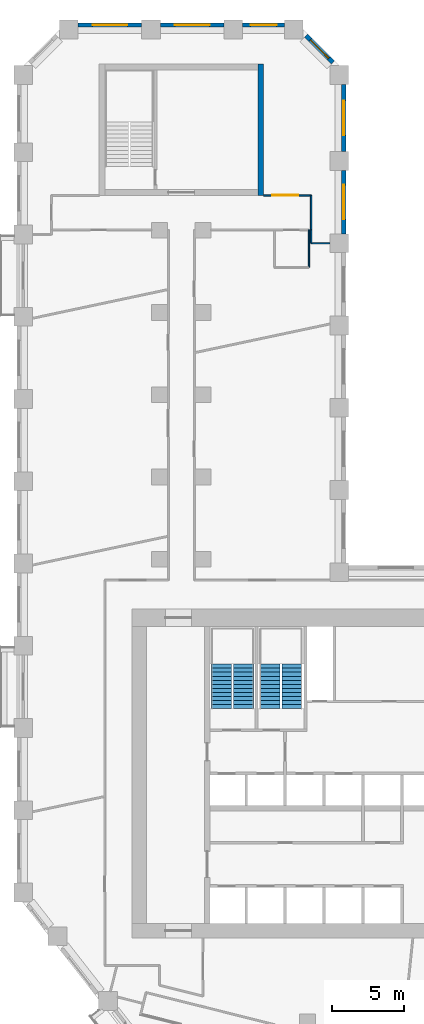
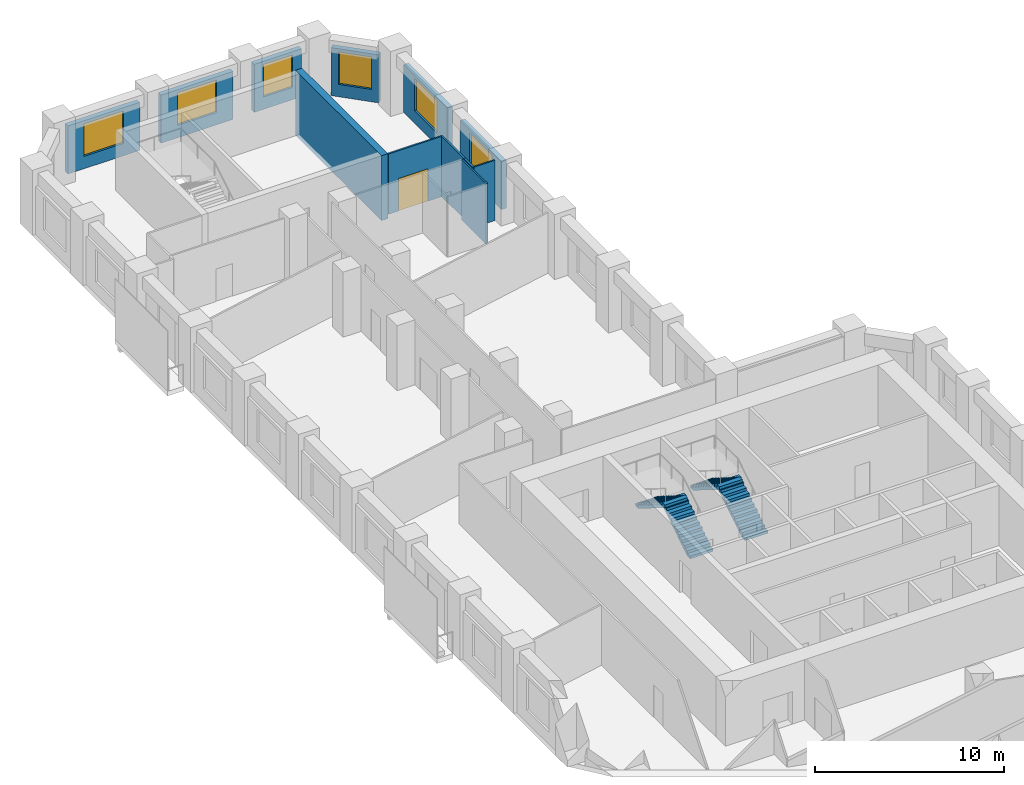
# One storey, part 9 of 11: 12 walls, 6 windows, 4 stair flights, 1 door, 7 openings, 2 elements without a shape of their own.
"""IFC4 building model written with IfcOpenShell, lengths in metres."""

from ifc_helpers import new_model, si_unit, direction, frame, frame_2d, origin, place, context, subcontext, project, spatial, polyline, rectangle, outline, extrude, material, layer, layer_set, type_object, element, fill, aggregate, save


model = new_model("IFC4")

# Units and contexts
model_context = context("Model", 3, precision=1e-05, world=origin(), true_north=direction((0.0, 1.0)))
body_context = subcontext(model_context, "Body", "Model", "MODEL_VIEW")
ifc_project = project(units=[si_unit("LENGTHUNIT", "METRE"), si_unit("AREAUNIT", "SQUARE_METRE"), si_unit("VOLUMEUNIT", "CUBIC_METRE"), si_unit("PLANEANGLEUNIT", "RADIAN"), si_unit("MASSUNIT", "GRAM", prefix="KILO")], contexts=[model_context])

# Site, building, storey
site_placement = place(None, origin())
site = spatial("IfcSite", under=ifc_project, at=site_placement, CompositionType="ELEMENT")
building_placement = place(site_placement, origin())
building = spatial("IfcBuilding", under=site, at=building_placement, Name="Meshkara Civic Tower", CompositionType="ELEMENT")
storey_placement = place(building_placement, frame((0.0, 0.0, 143.39990234375)))
storey = spatial("IfcBuildingStorey", under=building, at=storey_placement, Name="L32", CompositionType="ELEMENT", Elevation=143.39990234375)

# Wall
ifc_material_1 = material(Name="Corridor wall 100")
ifc_layer_1 = layer(ifc_material_1, 0.10009765625)
ifc_layer_set_1 = layer_set([ifc_layer_1], Name="Corridor wall 100")
wall_type_1 = type_object("IfcWallType", Name="Corridor wall 100", PredefinedType="PARTITIONING", material=ifc_layer_set_1)
wall_1_placement = place(storey_placement, frame((20.39990234375, 63.169921875, 0.0), z_axis=(0.0, 0.0, 1.0), x_axis=(0.0, 1.0, 0.0)))
element("IfcWall", 1, at=wall_1_placement, inside=storey, type_object=wall_type_1, Name="L32-W016", PredefinedType="PARTITIONING", context=body_context, shape_type="SweptSolid", body=[
    extrude(rectangle(XDim=2.400146484375, YDim=0.10009765625, at=frame_2d((1.2001953125, 0.0))), origin(), (0.0, 0.0, 1.0), 3.900146484375),
])

# Wall, opening, door
wall_2_placement = place(storey_placement, frame((20.39990234375, 65.570068359375, 0.0), z_axis=(0.0, 0.0, 1.0), x_axis=(-1.0, 0.0, 0.0)))
wall_2 = element("IfcWall", 2, at=wall_2_placement, inside=storey, type_object=wall_type_1, Name="L32-W017", PredefinedType="PARTITIONING", context=body_context, shape_type="SweptSolid", body=[
    extrude(rectangle(XDim=3.2998046875, YDim=0.10009765625, at=frame_2d((1.64990234375, 0.0))), origin(), (0.0, 0.0, 1.0), 3.900146484375),
])
opening_1_placement = place(wall_2_placement, frame((0.8798828125, 0.0, 0.0)))
opening_1 = element("IfcOpeningElement", 3, at=opening_1_placement, cuts=wall_2, Name="Opening L32-D024", PredefinedType="OPENING", context=body_context, shape_type="SweptSolid", body=[
    extrude(rectangle(XDim=1.800048828125, YDim=2.10009765625, at=frame_2d((0.89990234375, 1.050048828125))), frame((0.0, 0.06005859375, 0.0), z_axis=(0.0, -1.0, 0.0), x_axis=(1.0, 0.0, 0.0)), (0.0, 0.0, 1.0), 0.1201171875),
])
ifc_material_2 = material(Name="Door pair 1800 x 2100")
door_type = type_object("IfcDoorType", Name="Door pair 1800 x 2100", OperationType="SINGLE_SWING_LEFT", PredefinedType="DOOR", material=ifc_material_2)
door_placement = place(opening_1_placement, origin())
door = element("IfcDoor", 4, at=door_placement, inside=storey, type_object=door_type, Name="L32-D024", OperationType="DOUBLE_DOOR_SINGLE_SWING", OverallHeight=2.10009765625, OverallWidth=1.800048828125, PredefinedType="DOOR", context=body_context, shape_type="SweptSolid", body=[
    extrude(rectangle(XDim=1.800048828125, YDim=2.10009765625, at=frame_2d((0.89990234375, 1.050048828125))), frame((0.0, 0.02490234375, 0.0), z_axis=(0.0, -1.0, 0.0), x_axis=(1.0, 0.0, 0.0)), (0.0, 0.0, 1.0), 0.050048828125),
])
fill(opening_1, door)

# Wall, opening, window
ifc_material_3 = material(Name="Insulated infill panel with bronze anodised aluminium cladding", Category="aluminium")
ifc_layer_2 = layer(ifc_material_3, 0.300048828125)
ifc_layer_set_2 = layer_set([ifc_layer_2], Name="EXTERNAL INFILL WALL 300")
wall_type_2 = type_object("IfcWallType", Name="EXTERNAL INFILL WALL 300", PredefinedType="SOLIDWALL", material=ifc_layer_set_2)
wall_3_placement = place(storey_placement, frame((22.64990234375, 62.89990234375, 0.0), z_axis=(0.0, 0.0, 1.0), x_axis=(0.0, 1.0, 0.0)))
wall_3 = element("IfcWall", 5, at=wall_3_placement, inside=storey, type_object=wall_type_2, Name="External wall", PredefinedType="SOLIDWALL", context=body_context, shape_type="SweptSolid", body=[
    extrude(rectangle(XDim=4.400146484375, YDim=0.300048828125, at=frame_2d((2.2001953125, 0.0))), origin(), (0.0, 0.0, 1.0), 3.10009765625),
])
opening_2_placement = place(wall_3_placement, frame((1.0, 0.0, 0.800048828125)))
opening_2 = element("IfcOpeningElement", 6, at=opening_2_placement, cuts=wall_3, Name="Opening W7", PredefinedType="OPENING", context=body_context, shape_type="SweptSolid", body=[
    extrude(rectangle(XDim=2.39990234375, YDim=2.10009765625, at=frame_2d((1.199951171875, 1.050048828125))), frame((0.0, 0.159912109375, 0.0), z_axis=(0.0, -1.0, 0.0), x_axis=(1.0, 0.0, 0.0)), (0.0, 0.0, 1.0), 0.320068359375),
])
ifc_material_4 = material(Name="Tinted double glazing", Category="glass")
window_type_1 = type_object("IfcWindowType", Name="WINDOW 2400x2100", PartitioningType="DOUBLE_PANEL_VERTICAL", PredefinedType="WINDOW", material=ifc_material_4)
window_1_placement = place(opening_2_placement, origin())
window_1 = element("IfcWindow", 7, at=window_1_placement, inside=storey, type_object=window_type_1, Name="Window", OverallHeight=2.10009765625, OverallWidth=2.39990234375, PartitioningType="DOUBLE_PANEL_VERTICAL", PredefinedType="WINDOW", context=body_context, shape_type="SweptSolid", body=[
    extrude(rectangle(XDim=2.39990234375, YDim=2.10009765625, at=frame_2d((1.199951171875, 1.050048828125))), frame((0.0, 0.030029296875, 0.0), z_axis=(0.0, -1.0, 0.0), x_axis=(1.0, 0.0, 0.0)), (0.0, 0.0, 1.0), 0.06005859375),
])
fill(opening_2, window_1)

wall_4_placement = place(storey_placement, frame((22.64990234375, 68.60009765625, 0.0), z_axis=(0.0, 0.0, 1.0), x_axis=(0.0, 1.0, 0.0)))
wall_4 = element("IfcWall", 8, at=wall_4_placement, inside=storey, type_object=wall_type_2, Name="External wall", PredefinedType="SOLIDWALL", context=body_context, shape_type="SweptSolid", body=[
    extrude(rectangle(XDim=4.663818359375, YDim=0.300048828125, at=frame_2d((2.33203125, 0.0))), origin(), (0.0, 0.0, 1.0), 3.10009765625),
])
opening_3_placement = place(wall_4_placement, frame((1.132080078125, 0.0, 0.800048828125)))
opening_3 = element("IfcOpeningElement", 9, at=opening_3_placement, cuts=wall_4, Name="Opening W7", PredefinedType="OPENING", context=body_context, shape_type="SweptSolid", body=[
    extrude(rectangle(XDim=2.39990234375, YDim=2.10009765625, at=frame_2d((1.199951171875, 1.050048828125))), frame((0.0, 0.159912109375, 0.0), z_axis=(0.0, -1.0, 0.0), x_axis=(1.0, 0.0, 0.0)), (0.0, 0.0, 1.0), 0.320068359375),
])
window_2_placement = place(opening_3_placement, origin())
window_2 = element("IfcWindow", 10, at=window_2_placement, inside=storey, type_object=window_type_1, Name="Window", OverallHeight=2.10009765625, OverallWidth=2.39990234375, PartitioningType="DOUBLE_PANEL_VERTICAL", PredefinedType="WINDOW", context=body_context, shape_type="SweptSolid", body=[
    extrude(rectangle(XDim=2.39990234375, YDim=2.10009765625, at=frame_2d((1.199951171875, 1.050048828125))), frame((0.0, 0.030029296875, 0.0), z_axis=(0.0, -1.0, 0.0), x_axis=(1.0, 0.0, 0.0)), (0.0, 0.0, 1.0), 0.06005859375),
])
fill(opening_3, window_2)

wall_5_placement = place(storey_placement, frame((21.912109375, 74.77587890625, 0.0), z_axis=(0.0, 0.0, 1.0), x_axis=(-0.707106781187, 0.707106781187, 0.0)))
wall_5 = element("IfcWall", 11, at=wall_5_placement, inside=storey, type_object=wall_type_2, Name="External wall", PredefinedType="SOLIDWALL", context=body_context, shape_type="SweptSolid", body=[
    extrude(rectangle(XDim=2.625, YDim=0.300048828125, at=frame_2d((1.3125, 0.0))), origin(), (0.0, 0.0, 1.0), 3.10009765625),
])
opening_4_placement = place(wall_5_placement, frame((0.412109375, 0.0, 0.800048828125)))
opening_4 = element("IfcOpeningElement", 12, at=opening_4_placement, cuts=wall_5, Name="Opening W9", PredefinedType="OPENING", context=body_context, shape_type="SweptSolid", body=[
    extrude(rectangle(XDim=1.800048828125, YDim=2.10009765625, at=frame_2d((0.89990234375, 1.050048828125))), frame((0.0, 0.159912109375, 0.0), z_axis=(0.0, -1.0, 0.0), x_axis=(1.0, 0.0, 0.0)), (0.0, 0.0, 1.0), 0.320068359375),
])
ifc_material_5 = material(Name="Tinted double glazing", Category="glass")
window_type_2 = type_object("IfcWindowType", Name="WINDOW 1800x2100", PartitioningType="DOUBLE_PANEL_VERTICAL", PredefinedType="WINDOW", material=ifc_material_5)
window_3_placement = place(opening_4_placement, origin())
window_3 = element("IfcWindow", 13, at=window_3_placement, inside=storey, type_object=window_type_2, Name="Window", OverallHeight=2.10009765625, OverallWidth=1.800048828125, PartitioningType="DOUBLE_PANEL_VERTICAL", PredefinedType="WINDOW", context=body_context, shape_type="SweptSolid", body=[
    extrude(rectangle(XDim=1.800048828125, YDim=2.10009765625, at=frame_2d((0.89990234375, 1.050048828125))), frame((0.0, 0.030029296875, 0.0), z_axis=(0.0, -1.0, 0.0), x_axis=(1.0, 0.0, 0.0)), (0.0, 0.0, 1.0), 0.06005859375),
])
fill(opening_4, window_3)

wall_6_placement = place(storey_placement, frame((18.5439453125, 77.3701171875, 0.0), z_axis=(0.0, 0.0, 1.0), x_axis=(-1.0, 0.0, 0.0)))
wall_6 = element("IfcWall", 14, at=wall_6_placement, inside=storey, type_object=wall_type_2, Name="External wall", PredefinedType="SOLIDWALL", context=body_context, shape_type="SweptSolid", body=[
    extrude(rectangle(XDim=2.887939453125, YDim=0.300048828125, at=frame_2d((1.44384765625, 0.0))), origin(), (0.0, 0.0, 1.0), 3.10009765625),
])
opening_5_placement = place(wall_6_placement, frame((0.5439453125, 0.0, 0.800048828125)))
opening_5 = element("IfcOpeningElement", 15, at=opening_5_placement, cuts=wall_6, Name="Opening W9", PredefinedType="OPENING", context=body_context, shape_type="SweptSolid", body=[
    extrude(rectangle(XDim=1.800048828125, YDim=2.10009765625, at=frame_2d((0.89990234375, 1.050048828125))), frame((0.0, 0.159912109375, 0.0), z_axis=(0.0, -1.0, 0.0), x_axis=(1.0, 0.0, 0.0)), (0.0, 0.0, 1.0), 0.320068359375),
])
window_4_placement = place(opening_5_placement, origin())
window_4 = element("IfcWindow", 16, at=window_4_placement, inside=storey, type_object=window_type_2, Name="Window", OverallHeight=2.10009765625, OverallWidth=1.800048828125, PartitioningType="DOUBLE_PANEL_VERTICAL", PredefinedType="WINDOW", context=body_context, shape_type="SweptSolid", body=[
    extrude(rectangle(XDim=1.800048828125, YDim=2.10009765625, at=frame_2d((0.89990234375, 1.050048828125))), frame((0.0, 0.030029296875, 0.0), z_axis=(0.0, -1.0, 0.0), x_axis=(1.0, 0.0, 0.0)), (0.0, 0.0, 1.0), 0.06005859375),
])
fill(opening_5, window_4)

wall_7_placement = place(storey_placement, frame((14.35595703125, 77.3701171875, 0.0), z_axis=(0.0, 0.0, 1.0), x_axis=(-1.0, 0.0, 0.0)))
wall_7 = element("IfcWall", 17, at=wall_7_placement, inside=storey, type_object=wall_type_2, Name="External wall", PredefinedType="SOLIDWALL", context=body_context, shape_type="SweptSolid", body=[
    extrude(rectangle(XDim=4.39990234375, YDim=0.300048828125, at=frame_2d((2.199951171875, 0.0))), origin(), (0.0, 0.0, 1.0), 3.10009765625),
])
opening_6_placement = place(wall_7_placement, frame((1.0, 0.0, 0.800048828125)))
opening_6 = element("IfcOpeningElement", 18, at=opening_6_placement, cuts=wall_7, Name="Opening W7", PredefinedType="OPENING", context=body_context, shape_type="SweptSolid", body=[
    extrude(rectangle(XDim=2.39990234375, YDim=2.10009765625, at=frame_2d((1.199951171875, 1.050048828125))), frame((0.0, 0.159912109375, 0.0), z_axis=(0.0, -1.0, 0.0), x_axis=(1.0, 0.0, 0.0)), (0.0, 0.0, 1.0), 0.320068359375),
])
window_5_placement = place(opening_6_placement, origin())
window_5 = element("IfcWindow", 19, at=window_5_placement, inside=storey, type_object=window_type_1, Name="Window", OverallHeight=2.10009765625, OverallWidth=2.39990234375, PartitioningType="DOUBLE_PANEL_VERTICAL", PredefinedType="WINDOW", context=body_context, shape_type="SweptSolid", body=[
    extrude(rectangle(XDim=2.39990234375, YDim=2.10009765625, at=frame_2d((1.199951171875, 1.050048828125))), frame((0.0, 0.030029296875, 0.0), z_axis=(0.0, -1.0, 0.0), x_axis=(1.0, 0.0, 0.0)), (0.0, 0.0, 1.0), 0.06005859375),
])
fill(opening_6, window_5)

wall_8_placement = place(storey_placement, frame((8.656005859375, 77.3701171875, 0.0), z_axis=(0.0, 0.0, 1.0), x_axis=(-1.0, 0.0, 0.0)))
wall_8 = element("IfcWall", 20, at=wall_8_placement, inside=storey, type_object=wall_type_2, Name="External wall", PredefinedType="SOLIDWALL", context=body_context, shape_type="SweptSolid", body=[
    extrude(rectangle(XDim=4.39990234375, YDim=0.300048828125, at=frame_2d((2.199951171875, 0.0))), origin(), (0.0, 0.0, 1.0), 3.10009765625),
])
opening_7_placement = place(wall_8_placement, frame((1.0, 0.0, 0.800048828125)))
opening_7 = element("IfcOpeningElement", 21, at=opening_7_placement, cuts=wall_8, Name="Opening W7", PredefinedType="OPENING", context=body_context, shape_type="SweptSolid", body=[
    extrude(rectangle(XDim=2.39990234375, YDim=2.10009765625, at=frame_2d((1.199951171875, 1.050048828125))), frame((0.0, 0.159912109375, 0.0), z_axis=(0.0, -1.0, 0.0), x_axis=(1.0, 0.0, 0.0)), (0.0, 0.0, 1.0), 0.320068359375),
])
window_6_placement = place(opening_7_placement, origin())
window_6 = element("IfcWindow", 22, at=window_6_placement, inside=storey, type_object=window_type_1, Name="Window", OverallHeight=2.10009765625, OverallWidth=2.39990234375, PartitioningType="DOUBLE_PANEL_VERTICAL", PredefinedType="WINDOW", context=body_context, shape_type="SweptSolid", body=[
    extrude(rectangle(XDim=2.39990234375, YDim=2.10009765625, at=frame_2d((1.199951171875, 1.050048828125))), frame((0.0, 0.030029296875, 0.0), z_axis=(0.0, -1.0, 0.0), x_axis=(1.0, 0.0, 0.0)), (0.0, 0.0, 1.0), 0.06005859375),
])
fill(opening_7, window_6)

# Walls
ifc_material_6 = material(Name="Concrete C70", Category="concrete")
ifc_layer_3 = layer(ifc_material_6, 0.39990234375)
ifc_layer_set_3 = layer_set([ifc_layer_3], Name="End core ring wall 400 C70")
wall_type_3 = type_object("IfcWallType", Name="End core ring wall 400 C70", PredefinedType="SHEAR", material=ifc_layer_set_3)
wall_9_placement = place(storey_placement, frame((16.89990234375, 65.570068359375, -0.2998046875), z_axis=(0.0, 0.0, 1.0), x_axis=(0.0, 1.0, 0.0)))
element("IfcWall", 23, at=wall_9_placement, inside=storey, type_object=wall_type_3, Name="L32-C026", PredefinedType="SHEAR", context=body_context, shape_type="SweptSolid", body=[
    extrude(rectangle(XDim=9.099853515625, YDim=0.39990234375, at=frame_2d((4.5498046875, 0.0))), origin(), (0.0, 0.0, 1.0), 4.199951171875),
])
ifc_material_7 = material(Name="Partition 100")
ifc_layer_4 = layer(ifc_material_7, 0.10009765625)
ifc_layer_set_4 = layer_set([ifc_layer_4], Name="Partition 100")
wall_type_4 = type_object("IfcWallType", Name="Partition 100", PredefinedType="PARTITIONING", material=ifc_layer_set_4)
wall_10_placement = place(storey_placement, frame((20.25, 63.169921875, 0.0), z_axis=(0.0, 0.0, 1.0), x_axis=(0.0, -1.0, 0.0)))
element("IfcWall", 24, at=wall_10_placement, inside=storey, type_object=wall_type_4, Name="L32-W040", PredefinedType="PARTITIONING", context=body_context, shape_type="SweptSolid", body=[
    extrude(rectangle(XDim=2.599853515625, YDim=0.10009765625, at=frame_2d((1.2998046875, 0.0))), origin(), (0.0, 0.0, 1.0), 3.900146484375),
])
wall_11_placement = place(storey_placement, frame((20.39990234375, 62.25, 0.0), z_axis=(0.0, 0.0, 1.0), x_axis=(0.0, 1.0, 0.0)))
element("IfcWall", 25, at=wall_11_placement, inside=storey, type_object=wall_type_4, Name="L32-W041", PredefinedType="PARTITIONING", context=body_context, shape_type="SweptSolid", body=[
    extrude(rectangle(XDim=0.924072265625, YDim=0.10009765625, at=frame_2d((0.4619140625, 0.0))), origin(), (0.0, 0.0, 1.0), 3.900146484375),
])
wall_12_placement = place(storey_placement, frame((21.699951171875, 62.25, 0.0), z_axis=(0.0, 0.0, 1.0), x_axis=(-1.0, 0.0, 0.0)))
element("IfcWall", 26, at=wall_12_placement, inside=storey, type_object=wall_type_4, Name="L32-W043", PredefinedType="PARTITIONING", context=body_context, shape_type="SweptSolid", body=[
    extrude(rectangle(XDim=1.300048828125, YDim=0.10009765625, at=frame_2d((0.64990234375, 0.0))), origin(), (0.0, 0.0, 1.0), 3.900146484375),
])

# Stair, stair flights
ifc_material_8 = material(Name="Precast concrete C40/50", Category="concrete")
stair_type = type_object("IfcStairType", Name="Exit stair half-turn 24 risers precast", PredefinedType="HALF_TURN_STAIR", material=ifc_material_8)
stair_1_placement = place(storey_placement, origin())
stair_1 = element("IfcStair", 27, at=stair_1_placement, inside=storey, type_object=stair_type, Name="L32 exit stair 1", PredefinedType="HALF_TURN_STAIR")
ifc_material_9 = material(Name="Precast concrete C40/50", Category="concrete")
stair_flight_type = type_object("IfcStairFlightType", Name="Exit stair flight 12 risers precast", PredefinedType="STRAIGHT", material=ifc_material_9)
stair_flight_1_placement = place(storey_placement, frame((15.72509765625, 30.0, 0.0), z_axis=(0.0, 0.0, 1.0), x_axis=(0.0, 1.0, 0.0)))
stair_flight_1 = element("IfcStairFlight", 28, at=stair_flight_1_placement, type_object=stair_flight_type, Name="ST1 flight 1", NumberOfRisers=12, NumberOfTreads=11, PredefinedType="STRAIGHT", RiserHeight=0.175, TreadLength=0.28, context=body_context, shape_type="SweptSolid", body=[
    extrude(outline(polyline([(0.0, 0.0), (0.0, 0.175048828125), (0.280029296875, 0.175048828125), (0.280029296875, 0.35009765625), (0.56005859375, 0.35009765625), (0.56005859375, 0.52490234375), (0.840087890625, 0.52490234375), (0.840087890625, 0.699951171875), (1.1201171875, 0.699951171875), (1.1201171875, 0.875), (1.39990234375, 0.875), (1.39990234375, 1.050048828125), (1.679931640625, 1.050048828125), (1.679931640625, 1.22509765625), (1.9599609375, 1.22509765625), (1.9599609375, 1.39990234375), (2.239990234375, 1.39990234375), (2.239990234375, 1.574951171875), (2.52001953125, 1.574951171875), (2.52001953125, 1.75), (2.800048828125, 1.75), (2.800048828125, 1.925048828125), (3.080078125, 1.925048828125), (3.080078125, 2.10009765625), (3.080078125, 1.748291015625), (0.28271484375, 0.0), (0.0, 0.0)])), frame((0.0, 0.699951171875, 0.0), z_axis=(0.0, -1.0, 0.0), x_axis=(1.0, 0.0, 0.0)), (0.0, 0.0, 1.0), 1.39990234375),
])
stair_flight_2_placement = place(storey_placement, frame((14.175048828125, 33.080078125, 2.10009765625), z_axis=(0.0, 0.0, 1.0), x_axis=(0.0, -1.0, 0.0)))
stair_flight_2 = element("IfcStairFlight", 29, at=stair_flight_2_placement, type_object=stair_flight_type, Name="ST1 flight 2", NumberOfRisers=12, NumberOfTreads=11, PredefinedType="STRAIGHT", RiserHeight=0.175, TreadLength=0.28, context=body_context, shape_type="SweptSolid", body=[
    extrude(outline(polyline([(0.0, 0.0), (0.0, 0.175048828125), (0.280029296875, 0.175048828125), (0.280029296875, 0.35009765625), (0.56005859375, 0.35009765625), (0.56005859375, 0.52490234375), (0.840087890625, 0.52490234375), (0.840087890625, 0.699951171875), (1.1201171875, 0.699951171875), (1.1201171875, 0.875), (1.39990234375, 0.875), (1.39990234375, 1.050048828125), (1.679931640625, 1.050048828125), (1.679931640625, 1.22509765625), (1.9599609375, 1.22509765625), (1.9599609375, 1.39990234375), (2.239990234375, 1.39990234375), (2.239990234375, 1.574951171875), (2.52001953125, 1.574951171875), (2.52001953125, 1.75), (2.800048828125, 1.75), (2.800048828125, 1.925048828125), (3.080078125, 1.925048828125), (3.080078125, 2.10009765625), (3.080078125, 1.748291015625), (0.28271484375, 0.0), (0.0, 0.0)])), frame((0.0, 0.699951171875, 0.0), z_axis=(0.0, -1.0, 0.0), x_axis=(1.0, 0.0, 0.0)), (0.0, 0.0, 1.0), 1.39990234375),
])
aggregate(stair_1, [stair_flight_1, stair_flight_2])

stair_2_placement = place(storey_placement, origin())
stair_2 = element("IfcStair", 30, at=stair_2_placement, inside=storey, type_object=stair_type, Name="L32 exit stair 2", PredefinedType="HALF_TURN_STAIR")
stair_flight_3_placement = place(storey_placement, frame((19.074951171875, 30.0, 0.0), z_axis=(0.0, 0.0, 1.0), x_axis=(0.0, 1.0, 0.0)))
stair_flight_3 = element("IfcStairFlight", 31, at=stair_flight_3_placement, type_object=stair_flight_type, Name="ST2 flight 1", NumberOfRisers=12, NumberOfTreads=11, PredefinedType="STRAIGHT", RiserHeight=0.175, TreadLength=0.28, context=body_context, shape_type="SweptSolid", body=[
    extrude(outline(polyline([(0.0, 0.0), (0.0, 0.175048828125), (0.280029296875, 0.175048828125), (0.280029296875, 0.35009765625), (0.56005859375, 0.35009765625), (0.56005859375, 0.52490234375), (0.840087890625, 0.52490234375), (0.840087890625, 0.699951171875), (1.1201171875, 0.699951171875), (1.1201171875, 0.875), (1.39990234375, 0.875), (1.39990234375, 1.050048828125), (1.679931640625, 1.050048828125), (1.679931640625, 1.22509765625), (1.9599609375, 1.22509765625), (1.9599609375, 1.39990234375), (2.239990234375, 1.39990234375), (2.239990234375, 1.574951171875), (2.52001953125, 1.574951171875), (2.52001953125, 1.75), (2.800048828125, 1.75), (2.800048828125, 1.925048828125), (3.080078125, 1.925048828125), (3.080078125, 2.10009765625), (3.080078125, 1.748291015625), (0.28271484375, 0.0), (0.0, 0.0)])), frame((0.0, 0.699951171875, 0.0), z_axis=(0.0, -1.0, 0.0), x_axis=(1.0, 0.0, 0.0)), (0.0, 0.0, 1.0), 1.39990234375),
])
stair_flight_4_placement = place(storey_placement, frame((17.52490234375, 33.080078125, 2.10009765625), z_axis=(0.0, 0.0, 1.0), x_axis=(0.0, -1.0, 0.0)))
stair_flight_4 = element("IfcStairFlight", 32, at=stair_flight_4_placement, type_object=stair_flight_type, Name="ST2 flight 2", NumberOfRisers=12, NumberOfTreads=11, PredefinedType="STRAIGHT", RiserHeight=0.175, TreadLength=0.28, context=body_context, shape_type="SweptSolid", body=[
    extrude(outline(polyline([(0.0, 0.0), (0.0, 0.175048828125), (0.280029296875, 0.175048828125), (0.280029296875, 0.35009765625), (0.56005859375, 0.35009765625), (0.56005859375, 0.52490234375), (0.840087890625, 0.52490234375), (0.840087890625, 0.699951171875), (1.1201171875, 0.699951171875), (1.1201171875, 0.875), (1.39990234375, 0.875), (1.39990234375, 1.050048828125), (1.679931640625, 1.050048828125), (1.679931640625, 1.22509765625), (1.9599609375, 1.22509765625), (1.9599609375, 1.39990234375), (2.239990234375, 1.39990234375), (2.239990234375, 1.574951171875), (2.52001953125, 1.574951171875), (2.52001953125, 1.75), (2.800048828125, 1.75), (2.800048828125, 1.925048828125), (3.080078125, 1.925048828125), (3.080078125, 2.10009765625), (3.080078125, 1.748291015625), (0.28271484375, 0.0), (0.0, 0.0)])), frame((0.0, 0.699951171875, 0.0), z_axis=(0.0, -1.0, 0.0), x_axis=(1.0, 0.0, 0.0)), (0.0, 0.0, 1.0), 1.39990234375),
])
aggregate(stair_2, [stair_flight_3, stair_flight_4])

save(model, "model.ifc")
